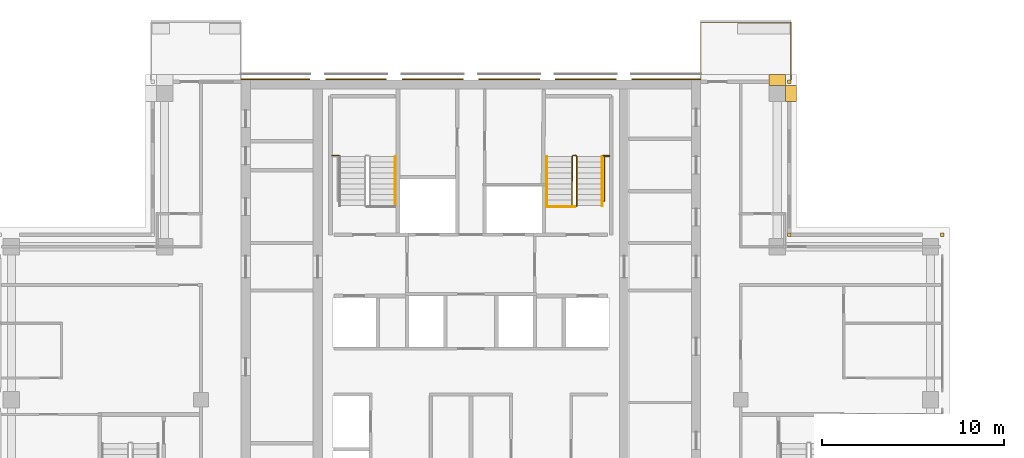
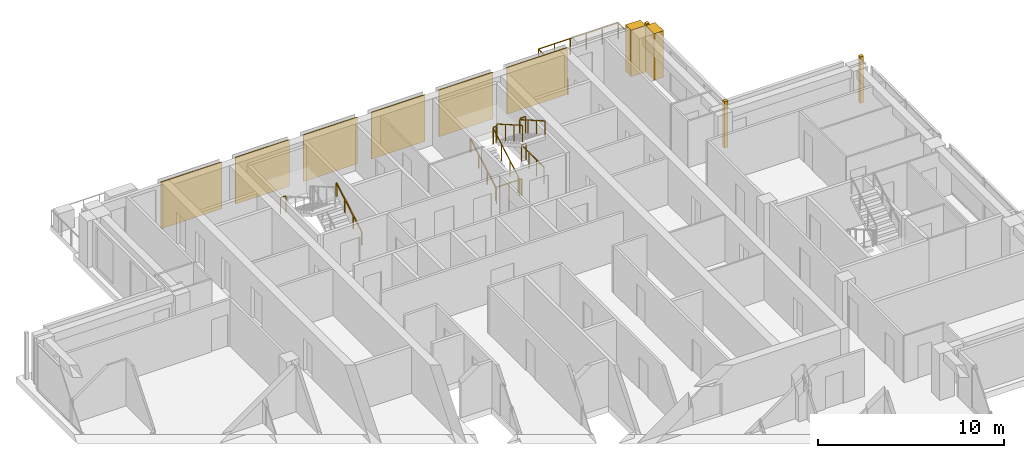
# One storey, part 18 of 18: 11 coverings, 9 railings.
"""IFC4 building model written with IfcOpenShell, lengths in metres."""

from ifc_helpers import new_model, si_unit, direction, frame, origin, origin_2d, place, context, subcontext, project, spatial, polyline, rectangle, outline, extrude, material, type_object, element, save


model = new_model("IFC4")

# Units and contexts
model_context = context("Model", 3, precision=1e-05, world=origin(), true_north=direction((0.0, 1.0)))
body_context = subcontext(model_context, "Body", "Model", "MODEL_VIEW")
ifc_project = project(units=[si_unit("LENGTHUNIT", "METRE"), si_unit("AREAUNIT", "SQUARE_METRE"), si_unit("VOLUMEUNIT", "CUBIC_METRE"), si_unit("PLANEANGLEUNIT", "RADIAN"), si_unit("MASSUNIT", "GRAM", prefix="KILO")], contexts=[model_context])

# Site, building, storey
site_placement = place(None, origin())
site = spatial("IfcSite", under=ifc_project, at=site_placement, CompositionType="ELEMENT")
building_placement = place(site_placement, origin())
building = spatial("IfcBuilding", under=site, at=building_placement, Name="Vermilion Ogive Tower", CompositionType="ELEMENT")
storey_placement = place(building_placement, frame((0.0, 0.0, 230.35009765625)))
storey = spatial("IfcBuildingStorey", under=building, at=storey_placement, Name="L60", CompositionType="ELEMENT", Elevation=230.35009765625)

# Railings
ifc_material_1 = material(Name="Stainless steel and glass", Category="steel")
railing_type_1 = type_object("IfcRailingType", Name="Balcony guard", PredefinedType="GUARDRAIL", material=ifc_material_1)
railing_1_placement = place(storey_placement, frame((17.550048828125, 21.75, -0.0400390625)))
element("IfcRailing", 1, at=railing_1_placement, inside=storey, type_object=railing_type_1, Name="Guard N101", PredefinedType="GUARDRAIL", context=body_context, shape_type="SweptSolid", body=[
    extrude(rectangle(XDim=0.048095703125, YDim=0.048095703125, at=origin_2d()), frame((0.0, 0.0, 1.076171875), z_axis=(0.0, 1.0, 0.0), x_axis=(-1.0, 0.0, 0.0)), (0.0, 0.0, 1.0), 3.159912109375),
    extrude(rectangle(XDim=0.048095703125, YDim=0.048095703125, at=origin_2d()), frame((0.0, 3.159912109375, 1.076171875), z_axis=(-1.0, 0.0, 0.0), x_axis=(0.0, -1.0, 0.0)), (0.0, 0.0, 1.0), 4.949951171875),
    extrude(rectangle(XDim=0.048095703125, YDim=0.048095703125, at=origin_2d()), frame((-4.949951171875, 3.159912109375, 1.076171875), z_axis=(0.0, -1.0, 0.0), x_axis=(1.0, 0.0, 0.0)), (0.0, 0.0, 1.0), 3.159912109375),
    extrude(rectangle(XDim=0.0419921875, YDim=0.0419921875, at=origin_2d()), origin(), (0.0, 0.0, 1.0), 1.052001953125),
    extrude(rectangle(XDim=0.0419921875, YDim=0.0419921875, at=origin_2d()), frame((0.0, 1.05322265625, 0.0)), (0.0, 0.0, 1.0), 1.052001953125),
    extrude(rectangle(XDim=0.0419921875, YDim=0.0419921875, at=origin_2d()), frame((0.0, 2.106689453125, 0.0)), (0.0, 0.0, 1.0), 1.052001953125),
    extrude(rectangle(XDim=0.0419921875, YDim=0.0419921875, at=origin_2d()), frame((0.0, 3.159912109375, 0.0)), (0.0, 0.0, 1.0), 1.052001953125),
    extrude(rectangle(XDim=0.0419921875, YDim=0.0419921875, at=origin_2d()), frame((-0.989990234375, 3.159912109375, 0.0)), (0.0, 0.0, 1.0), 1.052001953125),
    extrude(rectangle(XDim=0.0419921875, YDim=0.0419921875, at=origin_2d()), frame((-1.97998046875, 3.159912109375, 0.0)), (0.0, 0.0, 1.0), 1.052001953125),
    extrude(rectangle(XDim=0.0419921875, YDim=0.0419921875, at=origin_2d()), frame((-2.969970703125, 3.159912109375, 0.0)), (0.0, 0.0, 1.0), 1.052001953125),
    extrude(rectangle(XDim=0.0419921875, YDim=0.0419921875, at=origin_2d()), frame((-3.9599609375, 3.159912109375, 0.0)), (0.0, 0.0, 1.0), 1.052001953125),
    extrude(rectangle(XDim=0.0419921875, YDim=0.0419921875, at=origin_2d()), frame((-4.949951171875, 3.159912109375, 0.0)), (0.0, 0.0, 1.0), 1.052001953125),
    extrude(rectangle(XDim=0.0419921875, YDim=0.0419921875, at=origin_2d()), frame((-4.949951171875, 2.106689453125, 0.0)), (0.0, 0.0, 1.0), 1.052001953125),
    extrude(rectangle(XDim=0.0419921875, YDim=0.0419921875, at=origin_2d()), frame((-4.949951171875, 1.05322265625, 0.0)), (0.0, 0.0, 1.0), 1.052001953125),
    extrude(rectangle(XDim=0.0419921875, YDim=0.0419921875, at=origin_2d()), frame((-4.949951171875, 0.0, 0.0)), (0.0, 0.0, 1.0), 1.052001953125),
])
ifc_material_2 = material(Name="Steel S355 painted", Category="steel")
railing_type_2 = type_object("IfcRailingType", Name="Stair guard 1100", PredefinedType="GUARDRAIL", material=ifc_material_2)
railing_2_placement = place(storey_placement, frame((5.75, 14.800048828125, 0.0)))
element("IfcRailing", 2, at=railing_2_placement, inside=storey, type_object=railing_type_2, Name="L60 ST2 stair guard 4", PredefinedType="GUARDRAIL", context=body_context, shape_type="SweptSolid", body=[
    extrude(rectangle(XDim=0.048095703125, YDim=0.048095703125, at=origin_2d()), frame((0.0, 0.0, 1.076171875), z_axis=(-1.0, 0.0, 0.0), x_axis=(0.0, -1.0, 0.0)), (0.0, 0.0, 1.0), 0.14990234375),
    extrude(rectangle(XDim=0.048095703125, YDim=0.048095703125, at=origin_2d()), frame((-0.14990234375, 0.0, 1.076171875), z_axis=(-0.268603158521, 0.268603158521, 0.925043072762), x_axis=(-0.707106781187, -0.707106781187, 0.0)), (0.0, 0.0, 1.0), 0.186279296875),
    extrude(rectangle(XDim=0.048095703125, YDim=0.048095703125, at=origin_2d()), frame((-0.199951171875, 0.050048828125, 1.24853515625), z_axis=(0.0, 0.866903762492, 0.498475542607), x_axis=(-1.0, 0.0, 0.0)), (0.0, 0.0, 1.0), 3.114501953125),
    extrude(rectangle(XDim=0.048095703125, YDim=0.048095703125, at=origin_2d()), frame((-0.199951171875, 2.75, 2.80078125), z_axis=(0.707106781187, 0.707106781187, 0.0), x_axis=(-0.707106781187, 0.707106781187, 0.0)), (0.0, 0.0, 1.0), 0.07080078125),
    extrude(rectangle(XDim=0.048095703125, YDim=0.048095703125, at=origin_2d()), frame((-0.14990234375, 2.800048828125, 2.80078125), z_axis=(1.0, 0.0, 0.0), x_axis=(0.0, 1.0, 0.0)), (0.0, 0.0, 1.0), 0.14990234375),
    extrude(rectangle(XDim=0.048095703125, YDim=0.048095703125, at=origin_2d()), frame((0.0, 2.800048828125, 2.80078125), z_axis=(0.268277960024, -0.268277960024, 0.925231793839), x_axis=(0.707106781187, 0.707106781187, 0.0)), (0.0, 0.0, 1.0), 0.1865234375),
    extrude(rectangle(XDim=0.048095703125, YDim=0.048095703125, at=origin_2d()), frame((0.050048828125, 2.75, 2.9736328125), z_axis=(0.0, -0.866903762492, 0.498475542607), x_axis=(1.0, 0.0, 0.0)), (0.0, 0.0, 1.0), 3.114501953125),
    extrude(rectangle(XDim=0.0419921875, YDim=0.0419921875, at=origin_2d()), origin(), (0.0, 0.0, 1.0), 1.052001953125),
    extrude(rectangle(XDim=0.0419921875, YDim=0.0419921875, at=origin_2d()), frame((-0.14990234375, 0.0, 0.0)), (0.0, 0.0, 1.0), 1.052001953125),
    extrude(rectangle(XDim=0.0419921875, YDim=0.0419921875, at=origin_2d()), frame((-0.199951171875, 0.050048828125, 0.17236328125)), (0.0, 0.0, 1.0), 1.052001953125),
    extrude(rectangle(XDim=0.0419921875, YDim=0.0419921875, at=origin_2d()), frame((-0.199951171875, 0.949951171875, 0.68994140625)), (0.0, 0.0, 1.0), 1.052001953125),
    extrude(rectangle(XDim=0.0419921875, YDim=0.0419921875, at=origin_2d()), frame((-0.199951171875, 1.85009765625, 1.207275390625)), (0.0, 0.0, 1.0), 1.052001953125),
    extrude(rectangle(XDim=0.0419921875, YDim=0.0419921875, at=origin_2d()), frame((-0.199951171875, 2.75, 1.724853515625)), (0.0, 0.0, 1.0), 1.052001953125),
    extrude(rectangle(XDim=0.0419921875, YDim=0.0419921875, at=origin_2d()), frame((-0.14990234375, 2.800048828125, 1.724853515625)), (0.0, 0.0, 1.0), 1.052001953125),
    extrude(rectangle(XDim=0.0419921875, YDim=0.0419921875, at=origin_2d()), frame((0.0, 2.800048828125, 1.724853515625)), (0.0, 0.0, 1.0), 1.052001953125),
    extrude(rectangle(XDim=0.0419921875, YDim=0.0419921875, at=origin_2d()), frame((0.050048828125, 2.75, 1.8974609375)), (0.0, 0.0, 1.0), 1.052001953125),
    extrude(rectangle(XDim=0.0419921875, YDim=0.0419921875, at=origin_2d()), frame((0.050048828125, 1.85009765625, 2.4150390625)), (0.0, 0.0, 1.0), 1.052001953125),
    extrude(rectangle(XDim=0.0419921875, YDim=0.0419921875, at=origin_2d()), frame((0.050048828125, 0.949951171875, 2.932373046875)), (0.0, 0.0, 1.0), 1.052001953125),
    extrude(rectangle(XDim=0.0419921875, YDim=0.0419921875, at=origin_2d()), frame((0.050048828125, 0.050048828125, 3.449951171875)), (0.0, 0.0, 1.0), 1.052001953125),
])
for number, where, name in (
    (3, (-7.60009765625, 17.60009765625, 1.724853515625), "L60 landing guard"),
    (4, (7.25, 17.60009765625, 1.724853515625), "L60 landing guard"),
):
    element("IfcRailing", number, at=place(storey_placement, frame(where)), inside=storey, type_object=railing_type_2, Name=name, PredefinedType="GUARDRAIL", context=body_context, shape_type="SweptSolid", body=[
        extrude(rectangle(XDim=0.048095703125, YDim=0.048095703125, at=origin_2d()), frame((0.0, 0.0, 1.076171875), z_axis=(1.0, 0.0, 0.0), x_axis=(0.0, 1.0, 0.0)), (0.0, 0.0, 1.0), 0.35009765625),
        extrude(rectangle(XDim=0.0419921875, YDim=0.0419921875, at=origin_2d()), origin(), (0.0, 0.0, 1.0), 1.052001953125),
        extrude(rectangle(XDim=0.0419921875, YDim=0.0419921875, at=origin_2d()), frame((0.35009765625, 0.0, 0.0)), (0.0, 0.0, 1.0), 1.052001953125),
    ])
railing_3_placement = place(storey_placement, frame((7.599609375, 17.54296875, 0.0)))
element("IfcRailing", 5, at=railing_3_placement, inside=storey, type_object=railing_type_2, Name="L60 stair opening guard", PredefinedType="GUARDRAIL", context=body_context, shape_type="SweptSolid", body=[
    extrude(rectangle(XDim=0.048095703125, YDim=0.048095703125, at=origin_2d()), frame((0.0, 0.0, 1.076171875), z_axis=(-1.0, 0.0, 0.0), x_axis=(0.0, -1.0, 0.0)), (0.0, 0.0, 1.0), 0.2900390625),
    extrude(rectangle(XDim=0.048095703125, YDim=0.048095703125, at=origin_2d()), frame((-0.2900390625, 0.0, 1.076171875), z_axis=(0.0, -1.0, 0.0), x_axis=(1.0, 0.0, 0.0)), (0.0, 0.0, 1.0), 2.42431640625),
    extrude(rectangle(XDim=0.0419921875, YDim=0.0419921875, at=origin_2d()), origin(), (0.0, 0.0, 1.0), 1.052001953125),
    extrude(rectangle(XDim=0.0419921875, YDim=0.0419921875, at=origin_2d()), frame((-0.2900390625, 0.0, 0.0)), (0.0, 0.0, 1.0), 1.052001953125),
    extrude(rectangle(XDim=0.0419921875, YDim=0.0419921875, at=origin_2d()), frame((-0.2900390625, -0.80810546875, 0.0)), (0.0, 0.0, 1.0), 1.052001953125),
    extrude(rectangle(XDim=0.0419921875, YDim=0.0419921875, at=origin_2d()), frame((-0.2900390625, -1.6162109375, 0.0)), (0.0, 0.0, 1.0), 1.052001953125),
    extrude(rectangle(XDim=0.0419921875, YDim=0.0419921875, at=origin_2d()), frame((-0.2900390625, -2.42431640625, 0.0)), (0.0, 0.0, 1.0), 1.052001953125),
])
railing_4_placement = place(storey_placement, frame((5.699951171875, 14.7900390625, 0.0)))
element("IfcRailing", 6, at=railing_4_placement, inside=storey, type_object=railing_type_2, Name="L60 stair opening guard", PredefinedType="GUARDRAIL", context=body_context, shape_type="SweptSolid", body=[
    extrude(rectangle(XDim=0.048095703125, YDim=0.048095703125, at=origin_2d()), frame((0.0, 0.0, 1.076171875), z_axis=(-1.0, 0.0, 0.0), x_axis=(0.0, -1.0, 0.0)), (0.0, 0.0, 1.0), 1.5400390625),
    extrude(rectangle(XDim=0.0419921875, YDim=0.0419921875, at=origin_2d()), origin(), (0.0, 0.0, 1.0), 1.052001953125),
    extrude(rectangle(XDim=0.0419921875, YDim=0.0419921875, at=origin_2d()), frame((-0.77001953125, 0.0, 0.0)), (0.0, 0.0, 1.0), 1.052001953125),
    extrude(rectangle(XDim=0.0419921875, YDim=0.0419921875, at=origin_2d()), frame((-1.5400390625, 0.0, 0.0)), (0.0, 0.0, 1.0), 1.052001953125),
])
ifc_material_3 = material(Name="Stainless steel", Category="steel")
railing_type_3 = type_object("IfcRailingType", Name="Stair handrail 900", PredefinedType="HANDRAIL", material=ifc_material_3)
for number, where, name in (
    (7, (-4.14990234375, 14.85009765625, 0.17236328125), "L60 ST1 stair handrail 1"),
    (8, (4.14990234375, 14.85009765625, 0.17236328125), "L60 ST2 stair handrail 1"),
):
    element("IfcRailing", number, at=place(storey_placement, frame(where)), inside=storey, type_object=railing_type_3, Name=name, PredefinedType="HANDRAIL", context=body_context, shape_type="SweptSolid", body=[
        extrude(rectangle(XDim=0.048095703125, YDim=0.048095703125, at=origin_2d()), frame((0.0, 0.0, 0.8759765625), z_axis=(0.0, 0.866903762492, 0.498475542607), x_axis=(-1.0, 0.0, 0.0)), (0.0, 0.0, 1.0), 3.114501953125),
        extrude(rectangle(XDim=0.0419921875, YDim=0.0419921875, at=origin_2d()), origin(), (0.0, 0.0, 1.0), 0.851806640625),
        extrude(rectangle(XDim=0.0419921875, YDim=0.0419921875, at=origin_2d()), frame((0.0, 0.89990234375, 0.517578125)), (0.0, 0.0, 1.0), 0.851806640625),
        extrude(rectangle(XDim=0.0419921875, YDim=0.0419921875, at=origin_2d()), frame((0.0, 1.800048828125, 1.034912109375)), (0.0, 0.0, 1.0), 0.851806640625),
        extrude(rectangle(XDim=0.0419921875, YDim=0.0419921875, at=origin_2d()), frame((0.0, 2.699951171875, 1.552490234375)), (0.0, 0.0, 1.0), 0.851806640625),
    ])
railing_5_placement = place(storey_placement, frame((7.199951171875, 17.550048828125, 1.8974609375)))
element("IfcRailing", 9, at=railing_5_placement, inside=storey, type_object=railing_type_3, Name="L60 ST2 stair handrail 2", PredefinedType="HANDRAIL", context=body_context, shape_type="SweptSolid", body=[
    extrude(rectangle(XDim=0.048095703125, YDim=0.048095703125, at=origin_2d()), frame((0.0, 0.0, 0.8759765625), z_axis=(0.0, -0.866903762492, 0.498475542607), x_axis=(1.0, 0.0, 0.0)), (0.0, 0.0, 1.0), 3.114501953125),
    extrude(rectangle(XDim=0.0419921875, YDim=0.0419921875, at=origin_2d()), origin(), (0.0, 0.0, 1.0), 0.851806640625),
    extrude(rectangle(XDim=0.0419921875, YDim=0.0419921875, at=origin_2d()), frame((0.0, -0.89990234375, 0.517578125)), (0.0, 0.0, 1.0), 0.851806640625),
    extrude(rectangle(XDim=0.0419921875, YDim=0.0419921875, at=origin_2d()), frame((0.0, -1.800048828125, 1.034912109375)), (0.0, 0.0, 1.0), 0.851806640625),
    extrude(rectangle(XDim=0.0419921875, YDim=0.0419921875, at=origin_2d()), frame((0.0, -2.699951171875, 1.552490234375)), (0.0, 0.0, 1.0), 0.851806640625),
])

# Coverings
ifc_material_4 = material(Name="Stone cladding", Category="masonry")
covering_type_1 = type_object("IfcCoveringType", Name="Stone cladding panel", PredefinedType="CLADDING", material=ifc_material_4)
covering_1_placement = place(storey_placement, origin())
element("IfcCovering", 10, at=covering_1_placement, inside=storey, type_object=covering_type_1, Name="Stone cladding panel N1", PredefinedType="CLADDING", context=body_context, shape_type="SweptSolid", body=[
    extrude(outline(polyline([(-12.590087890625, 21.75), (-8.830078125, 21.75), (-8.830078125, 21.81005859375), (-12.590087890625, 21.81005859375), (-12.590087890625, 21.75)])), origin(), (0.0, 0.0, 1.0), 3.0498046875),
])
covering_2_placement = place(storey_placement, origin())
element("IfcCovering", 11, at=covering_2_placement, inside=storey, type_object=covering_type_1, Name="Stone cladding panel N2", PredefinedType="CLADDING", context=body_context, shape_type="SweptSolid", body=[
    extrude(outline(polyline([(-7.969970703125, 21.75), (-4.6298828125, 21.75), (-4.6298828125, 21.81005859375), (-7.969970703125, 21.81005859375), (-7.969970703125, 21.75)])), origin(), (0.0, 0.0, 1.0), 3.0498046875),
])
covering_3_placement = place(storey_placement, origin())
element("IfcCovering", 12, at=covering_3_placement, inside=storey, type_object=covering_type_1, Name="Stone cladding panel N3", PredefinedType="CLADDING", context=body_context, shape_type="SweptSolid", body=[
    extrude(outline(polyline([(-3.77001953125, 21.75), (-0.429931640625, 21.75), (-0.429931640625, 21.81005859375), (-3.77001953125, 21.81005859375), (-3.77001953125, 21.75)])), origin(), (0.0, 0.0, 1.0), 3.0498046875),
])
covering_4_placement = place(storey_placement, origin())
element("IfcCovering", 13, at=covering_4_placement, inside=storey, type_object=covering_type_1, Name="Stone cladding panel N4", PredefinedType="CLADDING", context=body_context, shape_type="SweptSolid", body=[
    extrude(outline(polyline([(0.429931640625, 21.75), (3.77001953125, 21.75), (3.77001953125, 21.81005859375), (0.429931640625, 21.81005859375), (0.429931640625, 21.75)])), origin(), (0.0, 0.0, 1.0), 3.0498046875),
])
covering_5_placement = place(storey_placement, origin())
element("IfcCovering", 14, at=covering_5_placement, inside=storey, type_object=covering_type_1, Name="Stone cladding panel N5", PredefinedType="CLADDING", context=body_context, shape_type="SweptSolid", body=[
    extrude(outline(polyline([(4.6298828125, 21.75), (7.969970703125, 21.75), (7.969970703125, 21.81005859375), (4.6298828125, 21.81005859375), (4.6298828125, 21.75)])), origin(), (0.0, 0.0, 1.0), 3.0498046875),
])
covering_6_placement = place(storey_placement, origin())
element("IfcCovering", 15, at=covering_6_placement, inside=storey, type_object=covering_type_1, Name="Stone cladding panel N6", PredefinedType="CLADDING", context=body_context, shape_type="SweptSolid", body=[
    extrude(outline(polyline([(8.830078125, 21.75), (12.590087890625, 21.75), (12.590087890625, 21.81005859375), (8.830078125, 21.81005859375), (8.830078125, 21.75)])), origin(), (0.0, 0.0, 1.0), 3.0498046875),
])
ifc_material_5 = material(Name="Stone cladding", Category="masonry")
covering_type_2 = type_object("IfcCoveringType", Name="Stone pier", PredefinedType="CLADDING", material=ifc_material_5)
covering_7_placement = place(storey_placement, origin())
element("IfcCovering", 16, at=covering_7_placement, inside=storey, type_object=covering_type_2, Name="Stone corner pier EE1", PredefinedType="CLADDING", context=body_context, shape_type="SweptSolid", body=[
    extrude(outline(polyline([(25.75, 13.14990234375), (25.75, 13.35009765625), (25.949951171875, 13.35009765625), (25.949951171875, 13.14990234375), (25.75, 13.14990234375)])), origin(), (0.0, 0.0, 1.0), 3.0498046875),
])
covering_8_placement = place(storey_placement, origin())
element("IfcCovering", 17, at=covering_8_placement, inside=storey, type_object=covering_type_2, Name="Stone corner pier X3E1", PredefinedType="CLADDING", context=body_context, shape_type="SweptSolid", body=[
    extrude(outline(polyline([(17.35009765625, 13.14990234375), (17.35009765625, 13.35009765625), (17.550048828125, 13.35009765625), (17.550048828125, 13.14990234375), (17.35009765625, 13.14990234375)])), origin(), (0.0, 0.0, 1.0), 3.0498046875),
])
covering_9_placement = place(storey_placement, origin())
element("IfcCovering", 18, at=covering_9_placement, inside=storey, type_object=covering_type_2, Name="Stone corner pier X4E1", PredefinedType="CLADDING", context=body_context, shape_type="SweptSolid", body=[
    extrude(outline(polyline([(17.35009765625, 21.550048828125), (17.35009765625, 21.75), (17.550048828125, 21.75), (17.550048828125, 21.550048828125), (17.35009765625, 21.550048828125)])), origin(), (0.0, 0.0, 1.0), 3.0498046875),
])
covering_10_placement = place(storey_placement, origin())
element("IfcCovering", 19, at=covering_10_placement, inside=storey, type_object=covering_type_2, Name="Stone pier P+0168+210X4", PredefinedType="CLADDING", context=body_context, shape_type="SweptSolid", body=[
    extrude(outline(polyline([(17.85009765625, 21.449951171875), (17.85009765625, 20.550048828125), (17.25, 20.550048828125), (17.25, 21.449951171875), (17.85009765625, 21.449951171875)])), origin(), (0.0, 0.0, 1.0), 3.0498046875),
])
covering_11_placement = place(storey_placement, origin())
element("IfcCovering", 20, at=covering_11_placement, inside=storey, type_object=covering_type_2, Name="Stone pier P+0168+210N1", PredefinedType="CLADDING", context=body_context, shape_type="SweptSolid", body=[
    extrude(outline(polyline([(17.25, 22.050048828125), (17.25, 21.449951171875), (16.35009765625, 21.449951171875), (16.35009765625, 22.050048828125), (17.25, 22.050048828125)])), origin(), (0.0, 0.0, 1.0), 3.0498046875),
])

save(model, "model.ifc")
